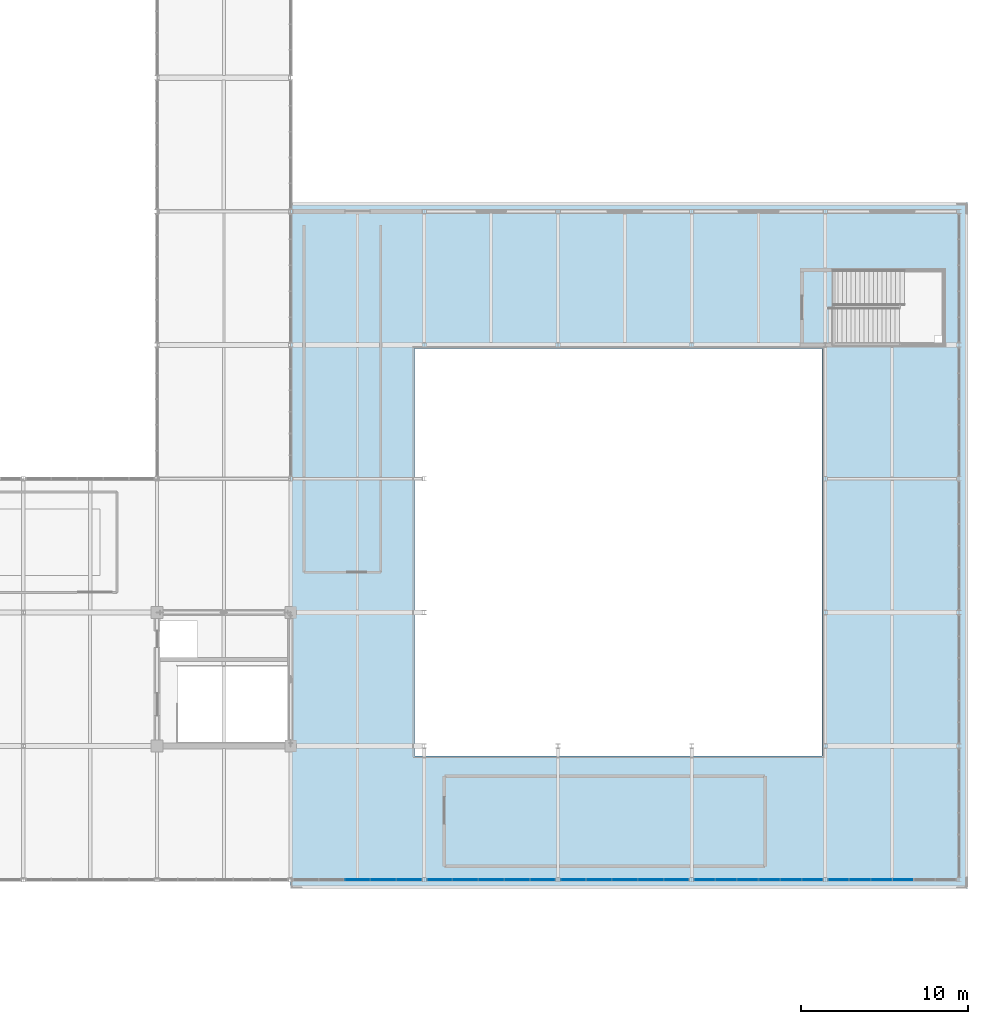
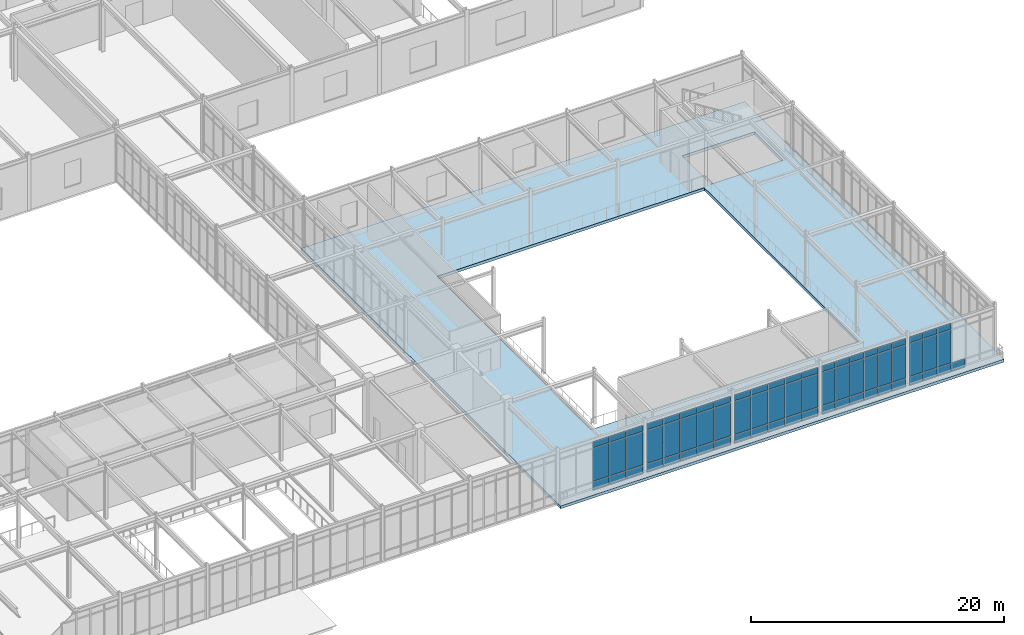
# One storey, part 100 of 184: 67 plates, 1 slab, 5 elements without a shape of their own.
"""IFC4 building model written with IfcOpenShell, lengths in metres."""

from ifc_helpers import new_model, si_unit, direction, frame, origin, origin_2d, place, context, subcontext, project, spatial, polyline, rectangle, outline, extrude, material, layer, layer_set, type_object, element, aggregate, save


model = new_model("IFC4")

# Units and contexts
model_context = context("Model", 3, precision=1e-05, world=origin(), true_north=direction((0.0, 1.0)))
body_context = subcontext(model_context, "Body", "Model", "MODEL_VIEW")
ifc_project = project(units=[si_unit("LENGTHUNIT", "METRE"), si_unit("AREAUNIT", "SQUARE_METRE"), si_unit("VOLUMEUNIT", "CUBIC_METRE"), si_unit("PLANEANGLEUNIT", "RADIAN"), si_unit("MASSUNIT", "GRAM", prefix="KILO")], contexts=[model_context])

# Site, building, storey
site_placement = place(None, origin())
site = spatial("IfcSite", under=ifc_project, at=site_placement, CompositionType="ELEMENT")
building_placement = place(site_placement, origin())
building = spatial("IfcBuilding", under=site, at=building_placement, Name="Zhaolan Boulevard Law Courts", CompositionType="ELEMENT")
storey_placement = place(building_placement, frame((0.0, 0.0, 5.39990234375)))
storey = spatial("IfcBuildingStorey", under=building, at=storey_placement, Name="L01", CompositionType="ELEMENT", Elevation=5.39990234375)

# Curtain wall, plates
ifc_material_1 = material(Name="Thermally broken aluminium and low-E glazing", Category="aluminium")
curtain_wall_type_1 = type_object("IfcCurtainWallType", Name="CURTAIN WALL M8", PredefinedType="USERDEFINED", material=ifc_material_1)
curtain_wall_1_placement = place(storey_placement, origin())
curtain_wall_1 = element("IfcCurtainWall", 1, at=curtain_wall_1_placement, inside=storey, type_object=curtain_wall_type_1, Name="Curtain Wall CW-L01-056", ObjectType="CURTAIN WALL", PredefinedType="USERDEFINED")
ifc_material_2 = material(Name="Acoustic laminated low-E glazing", Category="glass")
ifc_layer_1 = layer(ifc_material_2, 0.031982421875)
ifc_layer_set_1 = layer_set([ifc_layer_1])
plate_type = type_object("IfcPlateType", Name="CWPANEL LOW E32", PredefinedType="CURTAIN_PANEL", material=ifc_layer_set_1)
plate_1_placement = place(storey_placement, frame((128.0, 6.0, 0.06494140625), z_axis=(0.0, 0.0, 1.0), x_axis=(1.0, 0.0, 0.0)))
plate_1 = element("IfcPlate", 2, at=plate_1_placement, type_object=plate_type, Name="CW-L01-056 panel 3.1", PredefinedType="CURTAIN_PANEL", context=body_context, shape_type="SweptSolid", body=[
    extrude(rectangle(XDim=1.484130859375, YDim=0.031982421875, at=origin_2d()), origin(), (0.0, 0.0, 1.0), 0.802490234375),
])
plate_2_placement = place(storey_placement, frame((128.0, 6.0, 0.9326171875), z_axis=(0.0, 0.0, 1.0), x_axis=(1.0, 0.0, 0.0)))
plate_2 = element("IfcPlate", 3, at=plate_2_placement, type_object=plate_type, Name="CW-L01-056 panel 3.2", PredefinedType="CURTAIN_PANEL", context=body_context, shape_type="SweptSolid", body=[
    extrude(rectangle(XDim=1.484130859375, YDim=0.031982421875, at=origin_2d()), origin(), (0.0, 0.0, 1.0), 3.18798828125),
])
plate_3_placement = place(storey_placement, frame((128.0, 6.0, 4.185546875), z_axis=(0.0, 0.0, 1.0), x_axis=(1.0, 0.0, 0.0)))
plate_3 = element("IfcPlate", 4, at=plate_3_placement, type_object=plate_type, Name="CW-L01-056 panel 3.3", PredefinedType="CURTAIN_PANEL", context=body_context, shape_type="SweptSolid", body=[
    extrude(rectangle(XDim=1.484130859375, YDim=0.031982421875, at=origin_2d()), origin(), (0.0, 0.0, 1.0), 0.552490234375),
])
plate_4_placement = place(storey_placement, frame((129.54931640625, 6.0, 0.06494140625), z_axis=(0.0, 0.0, 1.0), x_axis=(1.0, 0.0, 0.0)))
plate_4 = element("IfcPlate", 5, at=plate_4_placement, type_object=plate_type, Name="CW-L01-056 panel 4.1", PredefinedType="CURTAIN_PANEL", context=body_context, shape_type="SweptSolid", body=[
    extrude(rectangle(XDim=1.484130859375, YDim=0.031982421875, at=origin_2d()), origin(), (0.0, 0.0, 1.0), 0.802490234375),
])
plate_5_placement = place(storey_placement, frame((129.54931640625, 6.0, 0.9326171875), z_axis=(0.0, 0.0, 1.0), x_axis=(1.0, 0.0, 0.0)))
plate_5 = element("IfcPlate", 6, at=plate_5_placement, type_object=plate_type, Name="CW-L01-056 panel 4.2", PredefinedType="CURTAIN_PANEL", context=body_context, shape_type="SweptSolid", body=[
    extrude(rectangle(XDim=1.484130859375, YDim=0.031982421875, at=origin_2d()), origin(), (0.0, 0.0, 1.0), 3.18798828125),
])
plate_6_placement = place(storey_placement, frame((129.54931640625, 6.0, 4.185546875), z_axis=(0.0, 0.0, 1.0), x_axis=(1.0, 0.0, 0.0)))
plate_6 = element("IfcPlate", 7, at=plate_6_placement, type_object=plate_type, Name="CW-L01-056 panel 4.3", PredefinedType="CURTAIN_PANEL", context=body_context, shape_type="SweptSolid", body=[
    extrude(rectangle(XDim=1.484130859375, YDim=0.031982421875, at=origin_2d()), origin(), (0.0, 0.0, 1.0), 0.552490234375),
])
plate_7_placement = place(storey_placement, frame((131.08203125, 6.0, 0.06494140625), z_axis=(0.0, 0.0, 1.0), x_axis=(1.0, 0.0, 0.0)))
plate_7 = element("IfcPlate", 8, at=plate_7_placement, type_object=plate_type, Name="CW-L01-056 panel 5.1", PredefinedType="CURTAIN_PANEL", context=body_context, shape_type="SweptSolid", body=[
    extrude(rectangle(XDim=1.45166015625, YDim=0.031982421875, at=origin_2d()), origin(), (0.0, 0.0, 1.0), 0.802490234375),
])
plate_8_placement = place(storey_placement, frame((131.08203125, 6.0, 0.9326171875), z_axis=(0.0, 0.0, 1.0), x_axis=(1.0, 0.0, 0.0)))
plate_8 = element("IfcPlate", 9, at=plate_8_placement, type_object=plate_type, Name="CW-L01-056 panel 5.2", PredefinedType="CURTAIN_PANEL", context=body_context, shape_type="SweptSolid", body=[
    extrude(rectangle(XDim=1.45166015625, YDim=0.031982421875, at=origin_2d()), origin(), (0.0, 0.0, 1.0), 3.18798828125),
])
plate_9_placement = place(storey_placement, frame((131.08203125, 6.0, 4.185546875), z_axis=(0.0, 0.0, 1.0), x_axis=(1.0, 0.0, 0.0)))
plate_9 = element("IfcPlate", 10, at=plate_9_placement, type_object=plate_type, Name="CW-L01-056 panel 5.3", PredefinedType="CURTAIN_PANEL", context=body_context, shape_type="SweptSolid", body=[
    extrude(rectangle(XDim=1.45166015625, YDim=0.031982421875, at=origin_2d()), origin(), (0.0, 0.0, 1.0), 0.552490234375),
])
aggregate(curtain_wall_1, [plate_1, plate_2, plate_3, plate_4, plate_5, plate_6, plate_7, plate_8, plate_9])

ifc_material_3 = material(Name="Thermally broken aluminium and low-E glazing", Category="aluminium")
curtain_wall_type_2 = type_object("IfcCurtainWallType", Name="CURTAIN WALL M9", PredefinedType="USERDEFINED", material=ifc_material_3)
curtain_wall_2_placement = place(storey_placement, origin())
curtain_wall_2 = element("IfcCurtainWall", 11, at=curtain_wall_2_placement, inside=storey, type_object=curtain_wall_type_2, Name="Curtain Wall CW-L01-057", ObjectType="CURTAIN WALL", PredefinedType="USERDEFINED")
plate_10_placement = place(storey_placement, frame((132.91796875, 6.0, 0.06494140625), z_axis=(0.0, 0.0, 1.0), x_axis=(1.0, 0.0, 0.0)))
plate_10 = element("IfcPlate", 12, at=plate_10_placement, type_object=plate_type, Name="CW-L01-057 panel 1.1", PredefinedType="CURTAIN_PANEL", context=body_context, shape_type="SweptSolid", body=[
    extrude(rectangle(XDim=1.45166015625, YDim=0.031982421875, at=origin_2d()), origin(), (0.0, 0.0, 1.0), 0.802490234375),
])
plate_11_placement = place(storey_placement, frame((132.91796875, 6.0, 0.9326171875), z_axis=(0.0, 0.0, 1.0), x_axis=(1.0, 0.0, 0.0)))
plate_11 = element("IfcPlate", 13, at=plate_11_placement, type_object=plate_type, Name="CW-L01-057 panel 1.2", PredefinedType="CURTAIN_PANEL", context=body_context, shape_type="SweptSolid", body=[
    extrude(rectangle(XDim=1.45166015625, YDim=0.031982421875, at=origin_2d()), origin(), (0.0, 0.0, 1.0), 3.18798828125),
])
plate_12_placement = place(storey_placement, frame((132.91796875, 6.0, 4.185546875), z_axis=(0.0, 0.0, 1.0), x_axis=(1.0, 0.0, 0.0)))
plate_12 = element("IfcPlate", 14, at=plate_12_placement, type_object=plate_type, Name="CW-L01-057 panel 1.3", PredefinedType="CURTAIN_PANEL", context=body_context, shape_type="SweptSolid", body=[
    extrude(rectangle(XDim=1.45166015625, YDim=0.031982421875, at=origin_2d()), origin(), (0.0, 0.0, 1.0), 0.552490234375),
])
plate_13_placement = place(storey_placement, frame((134.45068359375, 6.0, 0.06494140625), z_axis=(0.0, 0.0, 1.0), x_axis=(1.0, 0.0, 0.0)))
plate_13 = element("IfcPlate", 15, at=plate_13_placement, type_object=plate_type, Name="CW-L01-057 panel 2.1", PredefinedType="CURTAIN_PANEL", context=body_context, shape_type="SweptSolid", body=[
    extrude(rectangle(XDim=1.484130859375, YDim=0.031982421875, at=origin_2d()), origin(), (0.0, 0.0, 1.0), 0.802490234375),
])
plate_14_placement = place(storey_placement, frame((134.45068359375, 6.0, 0.9326171875), z_axis=(0.0, 0.0, 1.0), x_axis=(1.0, 0.0, 0.0)))
plate_14 = element("IfcPlate", 16, at=plate_14_placement, type_object=plate_type, Name="CW-L01-057 panel 2.2", PredefinedType="CURTAIN_PANEL", context=body_context, shape_type="SweptSolid", body=[
    extrude(rectangle(XDim=1.484130859375, YDim=0.031982421875, at=origin_2d()), origin(), (0.0, 0.0, 1.0), 3.18798828125),
])
plate_15_placement = place(storey_placement, frame((134.45068359375, 6.0, 4.185546875), z_axis=(0.0, 0.0, 1.0), x_axis=(1.0, 0.0, 0.0)))
plate_15 = element("IfcPlate", 17, at=plate_15_placement, type_object=plate_type, Name="CW-L01-057 panel 2.3", PredefinedType="CURTAIN_PANEL", context=body_context, shape_type="SweptSolid", body=[
    extrude(rectangle(XDim=1.484130859375, YDim=0.031982421875, at=origin_2d()), origin(), (0.0, 0.0, 1.0), 0.552490234375),
])
plate_16_placement = place(storey_placement, frame((136.0, 6.0, 0.06494140625), z_axis=(0.0, 0.0, 1.0), x_axis=(1.0, 0.0, 0.0)))
plate_16 = element("IfcPlate", 18, at=plate_16_placement, type_object=plate_type, Name="CW-L01-057 panel 3.1", PredefinedType="CURTAIN_PANEL", context=body_context, shape_type="SweptSolid", body=[
    extrude(rectangle(XDim=1.484130859375, YDim=0.031982421875, at=origin_2d()), origin(), (0.0, 0.0, 1.0), 0.802490234375),
])
plate_17_placement = place(storey_placement, frame((136.0, 6.0, 0.9326171875), z_axis=(0.0, 0.0, 1.0), x_axis=(1.0, 0.0, 0.0)))
plate_17 = element("IfcPlate", 19, at=plate_17_placement, type_object=plate_type, Name="CW-L01-057 panel 3.2", PredefinedType="CURTAIN_PANEL", context=body_context, shape_type="SweptSolid", body=[
    extrude(rectangle(XDim=1.484130859375, YDim=0.031982421875, at=origin_2d()), origin(), (0.0, 0.0, 1.0), 3.18798828125),
])
plate_18_placement = place(storey_placement, frame((136.0, 6.0, 4.185546875), z_axis=(0.0, 0.0, 1.0), x_axis=(1.0, 0.0, 0.0)))
plate_18 = element("IfcPlate", 20, at=plate_18_placement, type_object=plate_type, Name="CW-L01-057 panel 3.3", PredefinedType="CURTAIN_PANEL", context=body_context, shape_type="SweptSolid", body=[
    extrude(rectangle(XDim=1.484130859375, YDim=0.031982421875, at=origin_2d()), origin(), (0.0, 0.0, 1.0), 0.552490234375),
])
plate_19_placement = place(storey_placement, frame((137.54931640625, 6.0, 0.06494140625), z_axis=(0.0, 0.0, 1.0), x_axis=(1.0, 0.0, 0.0)))
plate_19 = element("IfcPlate", 21, at=plate_19_placement, type_object=plate_type, Name="CW-L01-057 panel 4.1", PredefinedType="CURTAIN_PANEL", context=body_context, shape_type="SweptSolid", body=[
    extrude(rectangle(XDim=1.484130859375, YDim=0.031982421875, at=origin_2d()), origin(), (0.0, 0.0, 1.0), 0.802490234375),
])
plate_20_placement = place(storey_placement, frame((137.54931640625, 6.0, 0.9326171875), z_axis=(0.0, 0.0, 1.0), x_axis=(1.0, 0.0, 0.0)))
plate_20 = element("IfcPlate", 22, at=plate_20_placement, type_object=plate_type, Name="CW-L01-057 panel 4.2", PredefinedType="CURTAIN_PANEL", context=body_context, shape_type="SweptSolid", body=[
    extrude(rectangle(XDim=1.484130859375, YDim=0.031982421875, at=origin_2d()), origin(), (0.0, 0.0, 1.0), 3.18798828125),
])
plate_21_placement = place(storey_placement, frame((137.54931640625, 6.0, 4.185546875), z_axis=(0.0, 0.0, 1.0), x_axis=(1.0, 0.0, 0.0)))
plate_21 = element("IfcPlate", 23, at=plate_21_placement, type_object=plate_type, Name="CW-L01-057 panel 4.3", PredefinedType="CURTAIN_PANEL", context=body_context, shape_type="SweptSolid", body=[
    extrude(rectangle(XDim=1.484130859375, YDim=0.031982421875, at=origin_2d()), origin(), (0.0, 0.0, 1.0), 0.552490234375),
])
plate_22_placement = place(storey_placement, frame((139.08203125, 6.0, 0.06494140625), z_axis=(0.0, 0.0, 1.0), x_axis=(1.0, 0.0, 0.0)))
plate_22 = element("IfcPlate", 24, at=plate_22_placement, type_object=plate_type, Name="CW-L01-057 panel 5.1", PredefinedType="CURTAIN_PANEL", context=body_context, shape_type="SweptSolid", body=[
    extrude(rectangle(XDim=1.45166015625, YDim=0.031982421875, at=origin_2d()), origin(), (0.0, 0.0, 1.0), 0.802490234375),
])
plate_23_placement = place(storey_placement, frame((139.08203125, 6.0, 0.9326171875), z_axis=(0.0, 0.0, 1.0), x_axis=(1.0, 0.0, 0.0)))
plate_23 = element("IfcPlate", 25, at=plate_23_placement, type_object=plate_type, Name="CW-L01-057 panel 5.2", PredefinedType="CURTAIN_PANEL", context=body_context, shape_type="SweptSolid", body=[
    extrude(rectangle(XDim=1.45166015625, YDim=0.031982421875, at=origin_2d()), origin(), (0.0, 0.0, 1.0), 3.18798828125),
])
plate_24_placement = place(storey_placement, frame((139.08203125, 6.0, 4.185546875), z_axis=(0.0, 0.0, 1.0), x_axis=(1.0, 0.0, 0.0)))
plate_24 = element("IfcPlate", 26, at=plate_24_placement, type_object=plate_type, Name="CW-L01-057 panel 5.3", PredefinedType="CURTAIN_PANEL", context=body_context, shape_type="SweptSolid", body=[
    extrude(rectangle(XDim=1.45166015625, YDim=0.031982421875, at=origin_2d()), origin(), (0.0, 0.0, 1.0), 0.552490234375),
])
aggregate(curtain_wall_2, [plate_10, plate_11, plate_12, plate_13, plate_14, plate_15, plate_16, plate_17, plate_18, plate_19, plate_20, plate_21, plate_22, plate_23, plate_24])

ifc_material_4 = material(Name="Thermally broken aluminium and low-E glazing", Category="aluminium")
curtain_wall_type_3 = type_object("IfcCurtainWallType", Name="CURTAIN WALL M10", PredefinedType="USERDEFINED", material=ifc_material_4)
curtain_wall_3_placement = place(storey_placement, origin())
curtain_wall_3 = element("IfcCurtainWall", 27, at=curtain_wall_3_placement, inside=storey, type_object=curtain_wall_type_3, Name="Curtain Wall CW-L01-058", ObjectType="CURTAIN WALL", PredefinedType="USERDEFINED")
plate_25_placement = place(storey_placement, frame((140.91796875, 6.0, 0.06494140625), z_axis=(0.0, 0.0, 1.0), x_axis=(1.0, 0.0, 0.0)))
plate_25 = element("IfcPlate", 28, at=plate_25_placement, type_object=plate_type, Name="CW-L01-058 panel 1.1", PredefinedType="CURTAIN_PANEL", context=body_context, shape_type="SweptSolid", body=[
    extrude(rectangle(XDim=1.45166015625, YDim=0.031982421875, at=origin_2d()), origin(), (0.0, 0.0, 1.0), 0.802490234375),
])
plate_26_placement = place(storey_placement, frame((140.91796875, 6.0, 0.9326171875), z_axis=(0.0, 0.0, 1.0), x_axis=(1.0, 0.0, 0.0)))
plate_26 = element("IfcPlate", 29, at=plate_26_placement, type_object=plate_type, Name="CW-L01-058 panel 1.2", PredefinedType="CURTAIN_PANEL", context=body_context, shape_type="SweptSolid", body=[
    extrude(rectangle(XDim=1.45166015625, YDim=0.031982421875, at=origin_2d()), origin(), (0.0, 0.0, 1.0), 3.18798828125),
])
plate_27_placement = place(storey_placement, frame((140.91796875, 6.0, 4.185546875), z_axis=(0.0, 0.0, 1.0), x_axis=(1.0, 0.0, 0.0)))
plate_27 = element("IfcPlate", 30, at=plate_27_placement, type_object=plate_type, Name="CW-L01-058 panel 1.3", PredefinedType="CURTAIN_PANEL", context=body_context, shape_type="SweptSolid", body=[
    extrude(rectangle(XDim=1.45166015625, YDim=0.031982421875, at=origin_2d()), origin(), (0.0, 0.0, 1.0), 0.552490234375),
])
plate_28_placement = place(storey_placement, frame((142.45068359375, 6.0, 0.06494140625), z_axis=(0.0, 0.0, 1.0), x_axis=(1.0, 0.0, 0.0)))
plate_28 = element("IfcPlate", 31, at=plate_28_placement, type_object=plate_type, Name="CW-L01-058 panel 2.1", PredefinedType="CURTAIN_PANEL", context=body_context, shape_type="SweptSolid", body=[
    extrude(rectangle(XDim=1.484130859375, YDim=0.031982421875, at=origin_2d()), origin(), (0.0, 0.0, 1.0), 0.802490234375),
])
plate_29_placement = place(storey_placement, frame((142.45068359375, 6.0, 0.9326171875), z_axis=(0.0, 0.0, 1.0), x_axis=(1.0, 0.0, 0.0)))
plate_29 = element("IfcPlate", 32, at=plate_29_placement, type_object=plate_type, Name="CW-L01-058 panel 2.2", PredefinedType="CURTAIN_PANEL", context=body_context, shape_type="SweptSolid", body=[
    extrude(rectangle(XDim=1.484130859375, YDim=0.031982421875, at=origin_2d()), origin(), (0.0, 0.0, 1.0), 3.18798828125),
])
plate_30_placement = place(storey_placement, frame((142.45068359375, 6.0, 4.185546875), z_axis=(0.0, 0.0, 1.0), x_axis=(1.0, 0.0, 0.0)))
plate_30 = element("IfcPlate", 33, at=plate_30_placement, type_object=plate_type, Name="CW-L01-058 panel 2.3", PredefinedType="CURTAIN_PANEL", context=body_context, shape_type="SweptSolid", body=[
    extrude(rectangle(XDim=1.484130859375, YDim=0.031982421875, at=origin_2d()), origin(), (0.0, 0.0, 1.0), 0.552490234375),
])
plate_31_placement = place(storey_placement, frame((144.0, 6.0, 0.06494140625), z_axis=(0.0, 0.0, 1.0), x_axis=(1.0, 0.0, 0.0)))
plate_31 = element("IfcPlate", 34, at=plate_31_placement, type_object=plate_type, Name="CW-L01-058 panel 3.1", PredefinedType="CURTAIN_PANEL", context=body_context, shape_type="SweptSolid", body=[
    extrude(rectangle(XDim=1.484130859375, YDim=0.031982421875, at=origin_2d()), origin(), (0.0, 0.0, 1.0), 0.802490234375),
])
plate_32_placement = place(storey_placement, frame((144.0, 6.0, 0.9326171875), z_axis=(0.0, 0.0, 1.0), x_axis=(1.0, 0.0, 0.0)))
plate_32 = element("IfcPlate", 35, at=plate_32_placement, type_object=plate_type, Name="CW-L01-058 panel 3.2", PredefinedType="CURTAIN_PANEL", context=body_context, shape_type="SweptSolid", body=[
    extrude(rectangle(XDim=1.484130859375, YDim=0.031982421875, at=origin_2d()), origin(), (0.0, 0.0, 1.0), 3.18798828125),
])
plate_33_placement = place(storey_placement, frame((144.0, 6.0, 4.185546875), z_axis=(0.0, 0.0, 1.0), x_axis=(1.0, 0.0, 0.0)))
plate_33 = element("IfcPlate", 36, at=plate_33_placement, type_object=plate_type, Name="CW-L01-058 panel 3.3", PredefinedType="CURTAIN_PANEL", context=body_context, shape_type="SweptSolid", body=[
    extrude(rectangle(XDim=1.484130859375, YDim=0.031982421875, at=origin_2d()), origin(), (0.0, 0.0, 1.0), 0.552490234375),
])
plate_34_placement = place(storey_placement, frame((145.54931640625, 6.0, 0.06494140625), z_axis=(0.0, 0.0, 1.0), x_axis=(1.0, 0.0, 0.0)))
plate_34 = element("IfcPlate", 37, at=plate_34_placement, type_object=plate_type, Name="CW-L01-058 panel 4.1", PredefinedType="CURTAIN_PANEL", context=body_context, shape_type="SweptSolid", body=[
    extrude(rectangle(XDim=1.484130859375, YDim=0.031982421875, at=origin_2d()), origin(), (0.0, 0.0, 1.0), 0.802490234375),
])
plate_35_placement = place(storey_placement, frame((145.54931640625, 6.0, 0.9326171875), z_axis=(0.0, 0.0, 1.0), x_axis=(1.0, 0.0, 0.0)))
plate_35 = element("IfcPlate", 38, at=plate_35_placement, type_object=plate_type, Name="CW-L01-058 panel 4.2", PredefinedType="CURTAIN_PANEL", context=body_context, shape_type="SweptSolid", body=[
    extrude(rectangle(XDim=1.484130859375, YDim=0.031982421875, at=origin_2d()), origin(), (0.0, 0.0, 1.0), 3.18798828125),
])
plate_36_placement = place(storey_placement, frame((145.54931640625, 6.0, 4.185546875), z_axis=(0.0, 0.0, 1.0), x_axis=(1.0, 0.0, 0.0)))
plate_36 = element("IfcPlate", 39, at=plate_36_placement, type_object=plate_type, Name="CW-L01-058 panel 4.3", PredefinedType="CURTAIN_PANEL", context=body_context, shape_type="SweptSolid", body=[
    extrude(rectangle(XDim=1.484130859375, YDim=0.031982421875, at=origin_2d()), origin(), (0.0, 0.0, 1.0), 0.552490234375),
])
plate_37_placement = place(storey_placement, frame((147.08203125, 6.0, 0.06494140625), z_axis=(0.0, 0.0, 1.0), x_axis=(1.0, 0.0, 0.0)))
plate_37 = element("IfcPlate", 40, at=plate_37_placement, type_object=plate_type, Name="CW-L01-058 panel 5.1", PredefinedType="CURTAIN_PANEL", context=body_context, shape_type="SweptSolid", body=[
    extrude(rectangle(XDim=1.45166015625, YDim=0.031982421875, at=origin_2d()), origin(), (0.0, 0.0, 1.0), 0.802490234375),
])
plate_38_placement = place(storey_placement, frame((147.08203125, 6.0, 0.9326171875), z_axis=(0.0, 0.0, 1.0), x_axis=(1.0, 0.0, 0.0)))
plate_38 = element("IfcPlate", 41, at=plate_38_placement, type_object=plate_type, Name="CW-L01-058 panel 5.2", PredefinedType="CURTAIN_PANEL", context=body_context, shape_type="SweptSolid", body=[
    extrude(rectangle(XDim=1.45166015625, YDim=0.031982421875, at=origin_2d()), origin(), (0.0, 0.0, 1.0), 3.18798828125),
])
plate_39_placement = place(storey_placement, frame((147.08203125, 6.0, 4.185546875), z_axis=(0.0, 0.0, 1.0), x_axis=(1.0, 0.0, 0.0)))
plate_39 = element("IfcPlate", 42, at=plate_39_placement, type_object=plate_type, Name="CW-L01-058 panel 5.3", PredefinedType="CURTAIN_PANEL", context=body_context, shape_type="SweptSolid", body=[
    extrude(rectangle(XDim=1.45166015625, YDim=0.031982421875, at=origin_2d()), origin(), (0.0, 0.0, 1.0), 0.552490234375),
])
aggregate(curtain_wall_3, [plate_25, plate_26, plate_27, plate_28, plate_29, plate_30, plate_31, plate_32, plate_33, plate_34, plate_35, plate_36, plate_37, plate_38, plate_39])

ifc_material_5 = material(Name="Thermally broken aluminium and low-E glazing", Category="aluminium")
curtain_wall_type_4 = type_object("IfcCurtainWallType", Name="CURTAIN WALL M11", PredefinedType="USERDEFINED", material=ifc_material_5)
curtain_wall_4_placement = place(storey_placement, origin())
curtain_wall_4 = element("IfcCurtainWall", 43, at=curtain_wall_4_placement, inside=storey, type_object=curtain_wall_type_4, Name="Curtain Wall CW-L01-059", ObjectType="CURTAIN WALL", PredefinedType="USERDEFINED")
plate_40_placement = place(storey_placement, frame((148.788818359375, 6.0, 0.06494140625), z_axis=(0.0, 0.0, 1.0), x_axis=(1.0, 0.0, 0.0)))
plate_40 = element("IfcPlate", 44, at=plate_40_placement, type_object=plate_type, Name="CW-L01-059 panel 1.1", PredefinedType="CURTAIN_PANEL", context=body_context, shape_type="SweptSolid", body=[
    extrude(rectangle(XDim=1.193603515625, YDim=0.031982421875, at=origin_2d()), origin(), (0.0, 0.0, 1.0), 0.802490234375),
])
plate_41_placement = place(storey_placement, frame((148.788818359375, 6.0, 0.9326171875), z_axis=(0.0, 0.0, 1.0), x_axis=(1.0, 0.0, 0.0)))
plate_41 = element("IfcPlate", 45, at=plate_41_placement, type_object=plate_type, Name="CW-L01-059 panel 1.2", PredefinedType="CURTAIN_PANEL", context=body_context, shape_type="SweptSolid", body=[
    extrude(rectangle(XDim=1.193603515625, YDim=0.031982421875, at=origin_2d()), origin(), (0.0, 0.0, 1.0), 3.18798828125),
])
plate_42_placement = place(storey_placement, frame((148.788818359375, 6.0, 4.185546875), z_axis=(0.0, 0.0, 1.0), x_axis=(1.0, 0.0, 0.0)))
plate_42 = element("IfcPlate", 46, at=plate_42_placement, type_object=plate_type, Name="CW-L01-059 panel 1.3", PredefinedType="CURTAIN_PANEL", context=body_context, shape_type="SweptSolid", body=[
    extrude(rectangle(XDim=1.193603515625, YDim=0.031982421875, at=origin_2d()), origin(), (0.0, 0.0, 1.0), 0.552490234375),
])
plate_43_placement = place(storey_placement, frame((150.0634765625, 6.0, 0.06494140625), z_axis=(0.0, 0.0, 1.0), x_axis=(1.0, 0.0, 0.0)))
plate_43 = element("IfcPlate", 47, at=plate_43_placement, type_object=plate_type, Name="CW-L01-059 panel 2.1", PredefinedType="CURTAIN_PANEL", context=body_context, shape_type="SweptSolid", body=[
    extrude(rectangle(XDim=1.22607421875, YDim=0.031982421875, at=origin_2d()), origin(), (0.0, 0.0, 1.0), 0.802490234375),
])
plate_44_placement = place(storey_placement, frame((150.0634765625, 6.0, 0.9326171875), z_axis=(0.0, 0.0, 1.0), x_axis=(1.0, 0.0, 0.0)))
plate_44 = element("IfcPlate", 48, at=plate_44_placement, type_object=plate_type, Name="CW-L01-059 panel 2.2", PredefinedType="CURTAIN_PANEL", context=body_context, shape_type="SweptSolid", body=[
    extrude(rectangle(XDim=1.22607421875, YDim=0.031982421875, at=origin_2d()), origin(), (0.0, 0.0, 1.0), 3.18798828125),
])
plate_45_placement = place(storey_placement, frame((150.0634765625, 6.0, 4.185546875), z_axis=(0.0, 0.0, 1.0), x_axis=(1.0, 0.0, 0.0)))
plate_45 = element("IfcPlate", 49, at=plate_45_placement, type_object=plate_type, Name="CW-L01-059 panel 2.3", PredefinedType="CURTAIN_PANEL", context=body_context, shape_type="SweptSolid", body=[
    extrude(rectangle(XDim=1.22607421875, YDim=0.031982421875, at=origin_2d()), origin(), (0.0, 0.0, 1.0), 0.552490234375),
])
plate_46_placement = place(storey_placement, frame((151.3544921875, 6.0, 0.06494140625), z_axis=(0.0, 0.0, 1.0), x_axis=(1.0, 0.0, 0.0)))
plate_46 = element("IfcPlate", 50, at=plate_46_placement, type_object=plate_type, Name="CW-L01-059 panel 3.1", PredefinedType="CURTAIN_PANEL", context=body_context, shape_type="SweptSolid", body=[
    extrude(rectangle(XDim=1.22607421875, YDim=0.031982421875, at=origin_2d()), origin(), (0.0, 0.0, 1.0), 0.802490234375),
])
plate_47_placement = place(storey_placement, frame((151.3544921875, 6.0, 0.9326171875), z_axis=(0.0, 0.0, 1.0), x_axis=(1.0, 0.0, 0.0)))
plate_47 = element("IfcPlate", 51, at=plate_47_placement, type_object=plate_type, Name="CW-L01-059 panel 3.2", PredefinedType="CURTAIN_PANEL", context=body_context, shape_type="SweptSolid", body=[
    extrude(rectangle(XDim=1.22607421875, YDim=0.031982421875, at=origin_2d()), origin(), (0.0, 0.0, 1.0), 3.18798828125),
])
plate_48_placement = place(storey_placement, frame((151.3544921875, 6.0, 4.185546875), z_axis=(0.0, 0.0, 1.0), x_axis=(1.0, 0.0, 0.0)))
plate_48 = element("IfcPlate", 52, at=plate_48_placement, type_object=plate_type, Name="CW-L01-059 panel 3.3", PredefinedType="CURTAIN_PANEL", context=body_context, shape_type="SweptSolid", body=[
    extrude(rectangle(XDim=1.22607421875, YDim=0.031982421875, at=origin_2d()), origin(), (0.0, 0.0, 1.0), 0.552490234375),
])
plate_49_placement = place(storey_placement, frame((152.6455078125, 6.0, 0.06494140625), z_axis=(0.0, 0.0, 1.0), x_axis=(1.0, 0.0, 0.0)))
plate_49 = element("IfcPlate", 53, at=plate_49_placement, type_object=plate_type, Name="CW-L01-059 panel 4.1", PredefinedType="CURTAIN_PANEL", context=body_context, shape_type="SweptSolid", body=[
    extrude(rectangle(XDim=1.22607421875, YDim=0.031982421875, at=origin_2d()), origin(), (0.0, 0.0, 1.0), 0.802490234375),
])
plate_50_placement = place(storey_placement, frame((152.6455078125, 6.0, 0.9326171875), z_axis=(0.0, 0.0, 1.0), x_axis=(1.0, 0.0, 0.0)))
plate_50 = element("IfcPlate", 54, at=plate_50_placement, type_object=plate_type, Name="CW-L01-059 panel 4.2", PredefinedType="CURTAIN_PANEL", context=body_context, shape_type="SweptSolid", body=[
    extrude(rectangle(XDim=1.22607421875, YDim=0.031982421875, at=origin_2d()), origin(), (0.0, 0.0, 1.0), 3.18798828125),
])
plate_51_placement = place(storey_placement, frame((152.6455078125, 6.0, 4.185546875), z_axis=(0.0, 0.0, 1.0), x_axis=(1.0, 0.0, 0.0)))
plate_51 = element("IfcPlate", 55, at=plate_51_placement, type_object=plate_type, Name="CW-L01-059 panel 4.3", PredefinedType="CURTAIN_PANEL", context=body_context, shape_type="SweptSolid", body=[
    extrude(rectangle(XDim=1.22607421875, YDim=0.031982421875, at=origin_2d()), origin(), (0.0, 0.0, 1.0), 0.552490234375),
])
plate_52_placement = place(storey_placement, frame((153.9365234375, 6.0, 0.06494140625), z_axis=(0.0, 0.0, 1.0), x_axis=(1.0, 0.0, 0.0)))
plate_52 = element("IfcPlate", 56, at=plate_52_placement, type_object=plate_type, Name="CW-L01-059 panel 5.1", PredefinedType="CURTAIN_PANEL", context=body_context, shape_type="SweptSolid", body=[
    extrude(rectangle(XDim=1.22607421875, YDim=0.031982421875, at=origin_2d()), origin(), (0.0, 0.0, 1.0), 0.802490234375),
])
plate_53_placement = place(storey_placement, frame((153.9365234375, 6.0, 0.9326171875), z_axis=(0.0, 0.0, 1.0), x_axis=(1.0, 0.0, 0.0)))
plate_53 = element("IfcPlate", 57, at=plate_53_placement, type_object=plate_type, Name="CW-L01-059 panel 5.2", PredefinedType="CURTAIN_PANEL", context=body_context, shape_type="SweptSolid", body=[
    extrude(rectangle(XDim=1.22607421875, YDim=0.031982421875, at=origin_2d()), origin(), (0.0, 0.0, 1.0), 3.18798828125),
])
plate_54_placement = place(storey_placement, frame((153.9365234375, 6.0, 4.185546875), z_axis=(0.0, 0.0, 1.0), x_axis=(1.0, 0.0, 0.0)))
plate_54 = element("IfcPlate", 58, at=plate_54_placement, type_object=plate_type, Name="CW-L01-059 panel 5.3", PredefinedType="CURTAIN_PANEL", context=body_context, shape_type="SweptSolid", body=[
    extrude(rectangle(XDim=1.22607421875, YDim=0.031982421875, at=origin_2d()), origin(), (0.0, 0.0, 1.0), 0.552490234375),
])
plate_55_placement = place(storey_placement, frame((155.211181640625, 6.0, 0.06494140625), z_axis=(0.0, 0.0, 1.0), x_axis=(1.0, 0.0, 0.0)))
plate_55 = element("IfcPlate", 59, at=plate_55_placement, type_object=plate_type, Name="CW-L01-059 panel 6.1", PredefinedType="CURTAIN_PANEL", context=body_context, shape_type="SweptSolid", body=[
    extrude(rectangle(XDim=1.193603515625, YDim=0.031982421875, at=origin_2d()), origin(), (0.0, 0.0, 1.0), 0.802490234375),
])
plate_56_placement = place(storey_placement, frame((155.211181640625, 6.0, 0.9326171875), z_axis=(0.0, 0.0, 1.0), x_axis=(1.0, 0.0, 0.0)))
plate_56 = element("IfcPlate", 60, at=plate_56_placement, type_object=plate_type, Name="CW-L01-059 panel 6.2", PredefinedType="CURTAIN_PANEL", context=body_context, shape_type="SweptSolid", body=[
    extrude(rectangle(XDim=1.193603515625, YDim=0.031982421875, at=origin_2d()), origin(), (0.0, 0.0, 1.0), 3.18798828125),
])
plate_57_placement = place(storey_placement, frame((155.211181640625, 6.0, 4.185546875), z_axis=(0.0, 0.0, 1.0), x_axis=(1.0, 0.0, 0.0)))
plate_57 = element("IfcPlate", 61, at=plate_57_placement, type_object=plate_type, Name="CW-L01-059 panel 6.3", PredefinedType="CURTAIN_PANEL", context=body_context, shape_type="SweptSolid", body=[
    extrude(rectangle(XDim=1.193603515625, YDim=0.031982421875, at=origin_2d()), origin(), (0.0, 0.0, 1.0), 0.552490234375),
])
aggregate(curtain_wall_4, [plate_40, plate_41, plate_42, plate_43, plate_44, plate_45, plate_46, plate_47, plate_48, plate_49, plate_50, plate_51, plate_52, plate_53, plate_54, plate_55, plate_56, plate_57])

ifc_material_6 = material(Name="Thermally broken aluminium and low-E glazing", Category="aluminium")
curtain_wall_type_5 = type_object("IfcCurtainWallType", Name="CURTAIN WALL M12", PredefinedType="USERDEFINED", material=ifc_material_6)
curtain_wall_5_placement = place(storey_placement, origin())
curtain_wall_5 = element("IfcCurtainWall", 62, at=curtain_wall_5_placement, inside=storey, type_object=curtain_wall_type_5, Name="Curtain Wall CW-L01-060", ObjectType="CURTAIN WALL", PredefinedType="USERDEFINED")
plate_58_placement = place(storey_placement, frame((156.788818359375, 6.0, 0.06494140625), z_axis=(0.0, 0.0, 1.0), x_axis=(1.0, 0.0, 0.0)))
plate_58 = element("IfcPlate", 63, at=plate_58_placement, type_object=plate_type, Name="CW-L01-060 panel 1.1", PredefinedType="CURTAIN_PANEL", context=body_context, shape_type="SweptSolid", body=[
    extrude(rectangle(XDim=1.193603515625, YDim=0.031982421875, at=origin_2d()), origin(), (0.0, 0.0, 1.0), 0.802490234375),
])
plate_59_placement = place(storey_placement, frame((156.788818359375, 6.0, 0.9326171875), z_axis=(0.0, 0.0, 1.0), x_axis=(1.0, 0.0, 0.0)))
plate_59 = element("IfcPlate", 64, at=plate_59_placement, type_object=plate_type, Name="CW-L01-060 panel 1.2", PredefinedType="CURTAIN_PANEL", context=body_context, shape_type="SweptSolid", body=[
    extrude(rectangle(XDim=1.193603515625, YDim=0.031982421875, at=origin_2d()), origin(), (0.0, 0.0, 1.0), 3.18798828125),
])
plate_60_placement = place(storey_placement, frame((156.788818359375, 6.0, 4.185546875), z_axis=(0.0, 0.0, 1.0), x_axis=(1.0, 0.0, 0.0)))
plate_60 = element("IfcPlate", 65, at=plate_60_placement, type_object=plate_type, Name="CW-L01-060 panel 1.3", PredefinedType="CURTAIN_PANEL", context=body_context, shape_type="SweptSolid", body=[
    extrude(rectangle(XDim=1.193603515625, YDim=0.031982421875, at=origin_2d()), origin(), (0.0, 0.0, 1.0), 0.552490234375),
])
plate_61_placement = place(storey_placement, frame((158.0634765625, 6.0, 0.06494140625), z_axis=(0.0, 0.0, 1.0), x_axis=(1.0, 0.0, 0.0)))
plate_61 = element("IfcPlate", 66, at=plate_61_placement, type_object=plate_type, Name="CW-L01-060 panel 2.1", PredefinedType="CURTAIN_PANEL", context=body_context, shape_type="SweptSolid", body=[
    extrude(rectangle(XDim=1.22607421875, YDim=0.031982421875, at=origin_2d()), origin(), (0.0, 0.0, 1.0), 0.802490234375),
])
plate_62_placement = place(storey_placement, frame((158.0634765625, 6.0, 0.9326171875), z_axis=(0.0, 0.0, 1.0), x_axis=(1.0, 0.0, 0.0)))
plate_62 = element("IfcPlate", 67, at=plate_62_placement, type_object=plate_type, Name="CW-L01-060 panel 2.2", PredefinedType="CURTAIN_PANEL", context=body_context, shape_type="SweptSolid", body=[
    extrude(rectangle(XDim=1.22607421875, YDim=0.031982421875, at=origin_2d()), origin(), (0.0, 0.0, 1.0), 3.18798828125),
])
plate_63_placement = place(storey_placement, frame((158.0634765625, 6.0, 4.185546875), z_axis=(0.0, 0.0, 1.0), x_axis=(1.0, 0.0, 0.0)))
plate_63 = element("IfcPlate", 68, at=plate_63_placement, type_object=plate_type, Name="CW-L01-060 panel 2.3", PredefinedType="CURTAIN_PANEL", context=body_context, shape_type="SweptSolid", body=[
    extrude(rectangle(XDim=1.22607421875, YDim=0.031982421875, at=origin_2d()), origin(), (0.0, 0.0, 1.0), 0.552490234375),
])
plate_64_placement = place(storey_placement, frame((159.3544921875, 6.0, 0.06494140625), z_axis=(0.0, 0.0, 1.0), x_axis=(1.0, 0.0, 0.0)))
plate_64 = element("IfcPlate", 69, at=plate_64_placement, type_object=plate_type, Name="CW-L01-060 panel 3.1", PredefinedType="CURTAIN_PANEL", context=body_context, shape_type="SweptSolid", body=[
    extrude(rectangle(XDim=1.22607421875, YDim=0.031982421875, at=origin_2d()), origin(), (0.0, 0.0, 1.0), 0.802490234375),
])
plate_65_placement = place(storey_placement, frame((159.3544921875, 6.0, 0.9326171875), z_axis=(0.0, 0.0, 1.0), x_axis=(1.0, 0.0, 0.0)))
plate_65 = element("IfcPlate", 70, at=plate_65_placement, type_object=plate_type, Name="CW-L01-060 panel 3.2", PredefinedType="CURTAIN_PANEL", context=body_context, shape_type="SweptSolid", body=[
    extrude(rectangle(XDim=1.22607421875, YDim=0.031982421875, at=origin_2d()), origin(), (0.0, 0.0, 1.0), 3.18798828125),
])
plate_66_placement = place(storey_placement, frame((159.3544921875, 6.0, 4.185546875), z_axis=(0.0, 0.0, 1.0), x_axis=(1.0, 0.0, 0.0)))
plate_66 = element("IfcPlate", 71, at=plate_66_placement, type_object=plate_type, Name="CW-L01-060 panel 3.3", PredefinedType="CURTAIN_PANEL", context=body_context, shape_type="SweptSolid", body=[
    extrude(rectangle(XDim=1.22607421875, YDim=0.031982421875, at=origin_2d()), origin(), (0.0, 0.0, 1.0), 0.552490234375),
])
plate_67_placement = place(storey_placement, frame((160.6455078125, 6.0, 0.06494140625), z_axis=(0.0, 0.0, 1.0), x_axis=(1.0, 0.0, 0.0)))
plate_67 = element("IfcPlate", 72, at=plate_67_placement, type_object=plate_type, Name="CW-L01-060 panel 4.1", PredefinedType="CURTAIN_PANEL", context=body_context, shape_type="SweptSolid", body=[
    extrude(rectangle(XDim=1.22607421875, YDim=0.031982421875, at=origin_2d()), origin(), (0.0, 0.0, 1.0), 0.802490234375),
])
aggregate(curtain_wall_5, [plate_58, plate_59, plate_60, plate_61, plate_62, plate_63, plate_64, plate_65, plate_66, plate_67])

# Slab
ifc_material_7 = material(Name="Concrete C40", Category="concrete")
ifc_layer_2 = layer(ifc_material_7, 0.280029296875)
ifc_layer_set_2 = layer_set([ifc_layer_2])
slab_type = type_object("IfcSlabType", Name="FLOOR SLAB 280", PredefinedType="FLOOR", material=ifc_layer_set_2)
slab_placement = place(storey_placement, frame((0.0, 0.0, -0.27978515625)))
element("IfcSlab", 73, at=slab_placement, inside=storey, type_object=slab_type, Name="Slab SLB-L01-V1", PredefinedType="FLOOR", context=body_context, shape_type="SweptSolid", body=[
    extrude(outline(polyline([(124.0, 5.47998046875), (164.52001953125, 5.47998046875), (164.52001953125, 46.52001953125), (124.0, 46.52001953125), (124.0, 5.47998046875)]), holes=[polyline([(156.5, 38.0), (163.10009765625, 38.0), (163.10009765625, 42.5), (156.5, 42.5), (156.5, 38.0)]), polyline([(131.39990234375, 13.39990234375), (155.800048828125, 13.39990234375), (155.800048828125, 37.800048828125), (131.39990234375, 37.800048828125), (131.39990234375, 13.39990234375)])]), origin(), (0.0, 0.0, 1.0), 0.27978515625),
])

save(model, "model.ifc")
